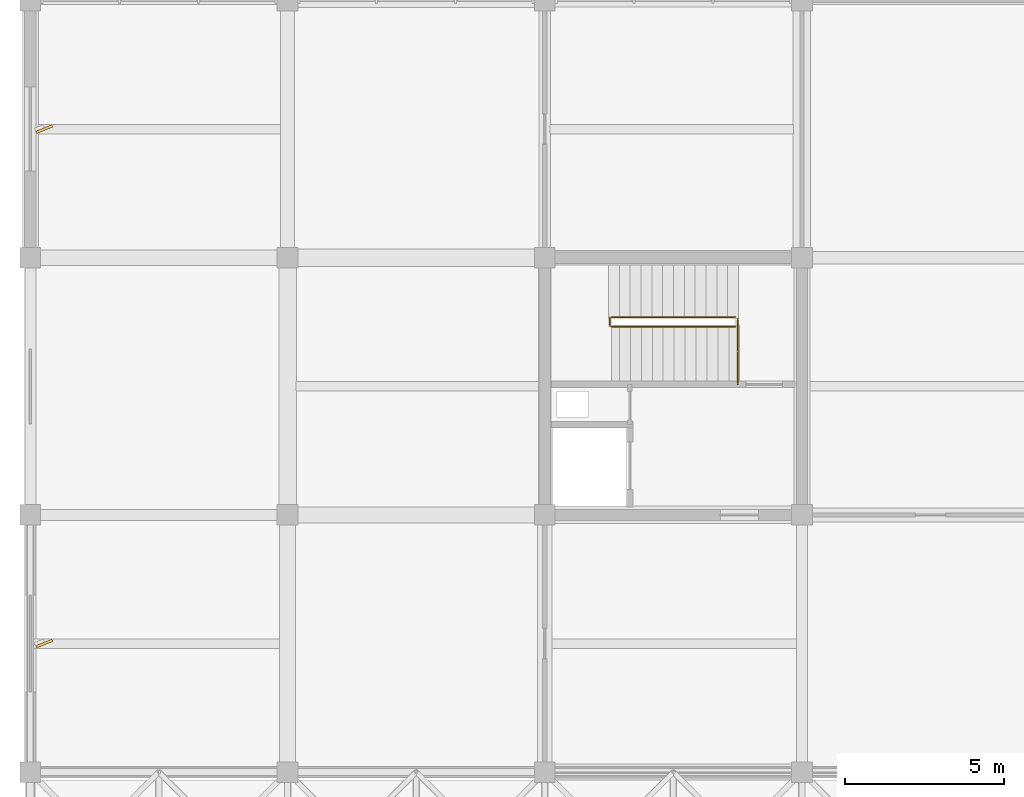
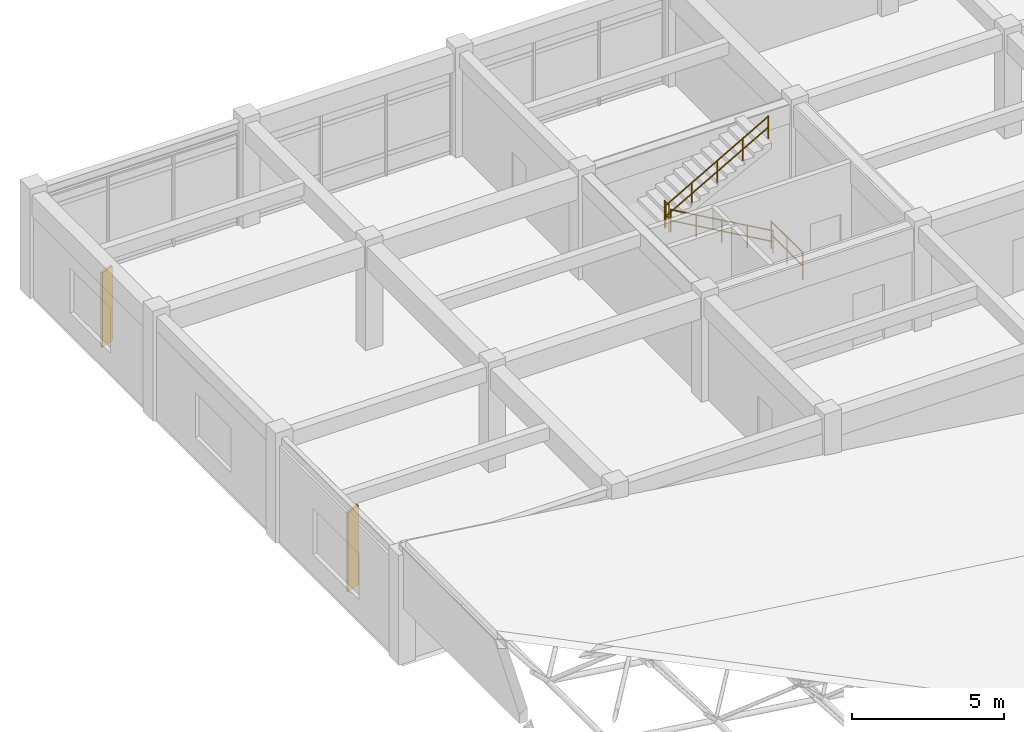
# One storey, part 64 of 70: 4 railings, 2 shading devices.
"""IFC4 building model written with IfcOpenShell, lengths in metres."""

from ifc_helpers import new_model, si_unit, direction, frame, origin, origin_2d, place, context, subcontext, project, spatial, rectangle, circle, extrude, material, type_object, element, save


model = new_model("IFC4")

# Units and contexts
model_context = context("Model", 3, precision=1e-05, world=origin(), true_north=direction((0.0, 1.0)))
body_context = subcontext(model_context, "Body", "Model", "MODEL_VIEW")
ifc_project = project(units=[si_unit("LENGTHUNIT", "METRE"), si_unit("AREAUNIT", "SQUARE_METRE"), si_unit("VOLUMEUNIT", "CUBIC_METRE"), si_unit("PLANEANGLEUNIT", "RADIAN"), si_unit("MASSUNIT", "GRAM", prefix="KILO")], contexts=[model_context])

# Site, building, storey
site_placement = place(None, origin())
site = spatial("IfcSite", under=ifc_project, at=site_placement, CompositionType="ELEMENT")
building_placement = place(site_placement, origin())
building = spatial("IfcBuilding", under=site, at=building_placement, Name="Vaudrelin Polytechnic", CompositionType="ELEMENT")
storey_placement = place(building_placement, frame((0.0, 0.0, 14.110107421875)))
storey = spatial("IfcBuildingStorey", under=building, at=storey_placement, Name="L03", CompositionType="ELEMENT", Elevation=14.110107421875)

# Shading devices
ifc_material_1 = material(Name="Anodised perforated aluminium AA 5005", Category="aluminium")
shading_device_type = type_object("IfcShadingDeviceType", Name="ENV-SF-FIN1", PredefinedType="USERDEFINED", material=ifc_material_1)
shading_device_1_placement = place(storey_placement, frame((0.43994140625, 101.25, 0.19970703125), z_axis=(0.0, 0.0, 1.0), x_axis=(0.927183854567, 0.374606593416, 0.0)))
element("IfcShadingDevice", 1, at=shading_device_1_placement, inside=storey, type_object=shading_device_type, Name="Perforated solar fin SF-030", ObjectType="SOLAR FIN", PredefinedType="USERDEFINED", context=body_context, shape_type="SweptSolid", body=[
    extrude(rectangle(XDim=0.550048828125, YDim=0.080078125, at=origin_2d()), origin(), (0.0, 0.0, 1.0), 3.199951171875),
])
shading_device_2_placement = place(storey_placement, frame((0.43994140625, 117.449951171875, 0.19970703125), z_axis=(0.0, 0.0, 1.0), x_axis=(0.927183854567, 0.374606593416, 0.0)))
element("IfcShadingDevice", 2, at=shading_device_2_placement, inside=storey, type_object=shading_device_type, Name="Perforated solar fin SF-031", ObjectType="SOLAR FIN", PredefinedType="USERDEFINED", context=body_context, shape_type="SweptSolid", body=[
    extrude(rectangle(XDim=0.550048828125, YDim=0.080078125, at=origin_2d()), origin(), (0.0, 0.0, 1.0), 3.011962890625),
])

# Railings
ifc_material_2 = material(Name="Brushed stainless steel AISI 304", Category="steel")
railing_type_1 = type_object("IfcRailingType", Name="RAL-GR-INT", PredefinedType="GUARDRAIL", material=ifc_material_2)
railing_1_placement = place(storey_placement, frame((22.280029296875, 109.409912109375, 0.0)))
element("IfcRailing", 3, at=railing_1_placement, inside=storey, type_object=railing_type_1, Name="ST-01-L02 upper well guardrail", PredefinedType="GUARDRAIL", context=body_context, shape_type="SweptSolid", body=[
    extrude(circle(Radius=0.02392578125, at=origin_2d()), frame((0.0, 0.023193359375, 1.09619140625), z_axis=(0.0, 1.0, 0.0), x_axis=(-1.0, 0.0, 0.0)), (0.0, 0.0, 1.0), 2.02392578125),
    extrude(circle(Radius=0.02392578125, at=origin_2d()), frame((0.0, 0.023193359375, 0.56005859375), z_axis=(0.0, 1.0, 0.0), x_axis=(-1.0, 0.0, 0.0)), (0.0, 0.0, 1.0), 2.02392578125),
    extrude(circle(Radius=0.02099609375, at=origin_2d()), origin(), (0.0, 0.0, 1.0), 1.1201171875),
    extrude(circle(Radius=0.02099609375, at=origin_2d()), frame((0.0, 1.03515625, 0.0)), (0.0, 0.0, 1.0), 1.1201171875),
    extrude(circle(Radius=0.02099609375, at=origin_2d()), frame((0.0, 2.070068359375, 0.0)), (0.0, 0.0, 1.0), 1.1201171875),
])
railing_2_placement = place(storey_placement, frame((18.25, 111.239990234375, 2.2099609375)))
element("IfcRailing", 4, at=railing_2_placement, inside=storey, type_object=railing_type_1, Name="ST-01-L03 landing well guardrail", PredefinedType="GUARDRAIL", context=body_context, shape_type="SweptSolid", body=[
    extrude(circle(Radius=0.02392578125, at=origin_2d()), frame((0.0, 0.023193359375, 1.09619140625), z_axis=(0.0, 1.0, 0.0), x_axis=(-1.0, 0.0, 0.0)), (0.0, 0.0, 1.0), 0.23388671875),
    extrude(circle(Radius=0.02392578125, at=origin_2d()), frame((0.0, 0.023193359375, 0.56005859375), z_axis=(0.0, 1.0, 0.0), x_axis=(-1.0, 0.0, 0.0)), (0.0, 0.0, 1.0), 0.23388671875),
    extrude(circle(Radius=0.02099609375, at=origin_2d()), origin(), (0.0, 0.0, 1.0), 1.1201171875),
    extrude(circle(Radius=0.02099609375, at=origin_2d()), frame((0.0, 0.280029296875, 0.0)), (0.0, 0.0, 1.0), 1.1201171875),
])
railing_type_2 = type_object("IfcRailingType", Name="RAL-HR-STR", PredefinedType="HANDRAIL", material=ifc_material_2)
railing_3_placement = place(storey_placement, frame((22.199951171875, 111.22998046875, 0.0)))
element("IfcRailing", 5, at=railing_3_placement, inside=storey, type_object=railing_type_2, Name="ST-01-L03 flight 1 handrail", PredefinedType="HANDRAIL", context=body_context, shape_type="SweptSolid", body=[
    extrude(circle(Radius=0.02392578125, at=origin_2d()), frame((-0.02001953125, 0.0, 0.9072265625), z_axis=(-0.86947626696, 0.0, 0.493974717161), x_axis=(0.0, -1.0, 0.0)), (0.0, 0.0, 1.0), 4.427734375),
    extrude(circle(Radius=0.02392578125, at=origin_2d()), frame((-0.02001953125, 0.0, 0.471435546875), z_axis=(-0.86947626696, 0.0, 0.493974717161), x_axis=(0.0, -1.0, 0.0)), (0.0, 0.0, 1.0), 4.427734375),
    extrude(circle(Radius=0.02099609375, at=origin_2d()), origin(), (0.0, 0.0, 1.0), 0.919921875),
    extrude(circle(Radius=0.02099609375, at=origin_2d()), frame((-0.972412109375, 0.0, 0.552490234375)), (0.0, 0.0, 1.0), 0.919921875),
    extrude(circle(Radius=0.02099609375, at=origin_2d()), frame((-1.94482421875, 0.0, 1.10498046875)), (0.0, 0.0, 1.0), 0.919921875),
    extrude(circle(Radius=0.02099609375, at=origin_2d()), frame((-2.91748046875, 0.0, 1.657470703125)), (0.0, 0.0, 1.0), 0.919921875),
    extrude(circle(Radius=0.02099609375, at=origin_2d()), frame((-3.889892578125, 0.0, 2.2099609375)), (0.0, 0.0, 1.0), 0.919921875),
])
railing_4_placement = place(storey_placement, frame((18.31005859375, 111.530029296875, 2.2099609375)))
element("IfcRailing", 6, at=railing_4_placement, inside=storey, type_object=railing_type_2, Name="ST-01-L03 flight 2 handrail", PredefinedType="HANDRAIL", context=body_context, shape_type="SweptSolid", body=[
    extrude(circle(Radius=0.02392578125, at=origin_2d()), frame((0.02001953125, 0.0, 0.9072265625), z_axis=(0.86947626696, 0.0, 0.493974717161), x_axis=(0.0, 1.0, 0.0)), (0.0, 0.0, 1.0), 4.427734375),
    extrude(circle(Radius=0.02392578125, at=origin_2d()), frame((0.02001953125, 0.0, 0.471435546875), z_axis=(0.86947626696, 0.0, 0.493974717161), x_axis=(0.0, 1.0, 0.0)), (0.0, 0.0, 1.0), 4.427734375),
    extrude(circle(Radius=0.02099609375, at=origin_2d()), origin(), (0.0, 0.0, 1.0), 0.919921875),
    extrude(circle(Radius=0.02099609375, at=origin_2d()), frame((0.972412109375, 0.0, 0.552490234375)), (0.0, 0.0, 1.0), 0.919921875),
    extrude(circle(Radius=0.02099609375, at=origin_2d()), frame((1.94482421875, 0.0, 1.10498046875)), (0.0, 0.0, 1.0), 0.919921875),
    extrude(circle(Radius=0.02099609375, at=origin_2d()), frame((2.91748046875, 0.0, 1.657470703125)), (0.0, 0.0, 1.0), 0.919921875),
    extrude(circle(Radius=0.02099609375, at=origin_2d()), frame((3.889892578125, 0.0, 2.2099609375)), (0.0, 0.0, 1.0), 0.919921875),
])

save(model, "model.ifc")
